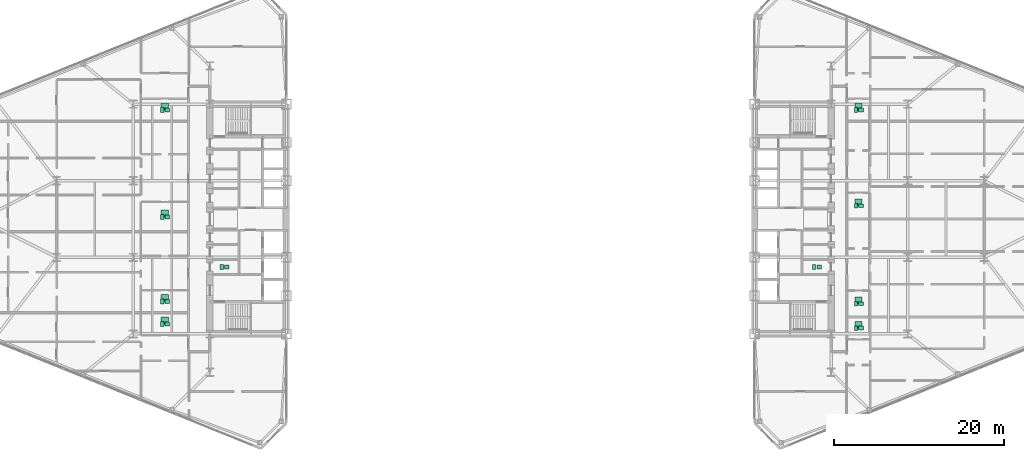
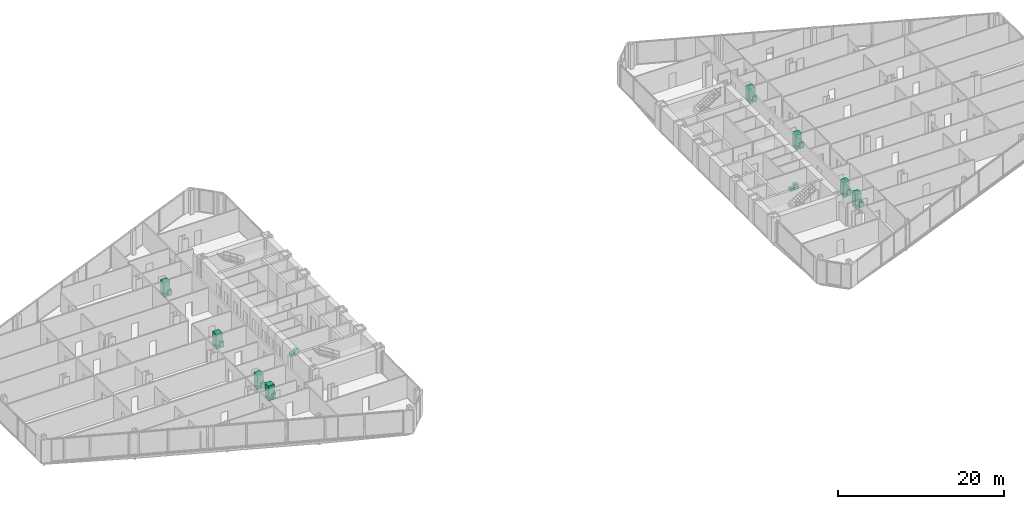
# One storey, part 25 of 25: 28 sanitary terminals.
"""IFC4 building model written with IfcOpenShell, lengths in metres."""

from ifc_helpers import new_model, si_unit, direction, frame, origin, origin_2d, place, context, subcontext, project, spatial, rectangle, extrude, source, transform, mapped, material, type_object, type_shapes, element, save


model = new_model("IFC4")

# Units and contexts
model_context = context("Model", 3, precision=1e-05, world=origin(), true_north=direction((0.0, 1.0)))
body_context = subcontext(model_context, "Body", "Model", "MODEL_VIEW")
ifc_project = project(units=[si_unit("LENGTHUNIT", "METRE"), si_unit("AREAUNIT", "SQUARE_METRE"), si_unit("VOLUMEUNIT", "CUBIC_METRE"), si_unit("PLANEANGLEUNIT", "RADIAN"), si_unit("MASSUNIT", "GRAM", prefix="KILO")], contexts=[model_context])

# Site, building, storey
site_placement = place(None, origin())
site = spatial("IfcSite", under=ifc_project, at=site_placement, CompositionType="ELEMENT")
building_placement = place(site_placement, origin())
building = spatial("IfcBuilding", under=site, at=building_placement, Name="Seokmaru Belvedere", CompositionType="ELEMENT")
storey_placement = place(building_placement, frame((0.0, 0.0, 36.89990234375)))
storey = spatial("IfcBuildingStorey", under=building, at=storey_placement, Name="L09", CompositionType="ELEMENT", Elevation=36.89990234375)

# Sanitary terminals
ifc_material_1 = material(Name="Vitreous China Sanitaryware")
sanitary_terminal_type_1 = type_object("IfcSanitaryTerminalType", Name="Wall-Hung Vitreous China WC Pan", PredefinedType="TOILETPAN", material=ifc_material_1)
shared_shape_1 = source(origin(), body_context, "Body", "SweptSolid", [
    extrude(rectangle(XDim=0.3798828125, YDim=0.56005859375, at=origin_2d()), origin(), (0.0, 0.0, 1.0), 0.419921875),
])
type_shapes(sanitary_terminal_type_1, [shared_shape_1])
for number, where, z_axis, x_axis, name in (
    (1, (-35.10009765625, -5.625, 0.000244140625), (0.0, 0.0, 1.0), (1.0, 0.0, 0.0), "L09 Vitreous China WC 0047"),
    (2, (34.5, -5.625, 0.000244140625), (0.0, 0.0, 1.0), (1.0, 0.0, 0.0), "L09 Vitreous China WC 0048"),
    (3, (-42.10009765625, -12.322021484375, 0.000244140625), (0.0, 0.0, 1.0), (1.0, 0.0, 0.0), "L09 Vitreous China WC 0049"),
    (4, (-42.10009765625, -9.677978515625, 0.000244140625), (0.0, 0.0, 1.0), (1.0, 0.0, 0.0), "L09 Vitreous China WC 0050"),
    (5, (-42.10009765625, 0.25390625, 0.000244140625), (0.0, 0.0, 1.0), (1.0, 0.0, 0.0), "L09 Vitreous China WC 0051"),
    (6, (-42.10009765625, 12.822021484375, 0.000244140625), (0.0, 0.0, 1.0), (1.0, 0.0, 0.0), "L09 Vitreous China WC 0052"),
    (7, (39.425048828125, -12.822021484375, 0.000244140625), (0.0, 0.0, 1.0), (1.0, 0.0, 0.0), "L09 Vitreous China WC 0053"),
    (8, (39.425048828125, -9.947998046875, 0.000244140625), (0.0, 0.0, 1.0), (1.0, 0.0, 0.0), "L09 Vitreous China WC 0054"),
    (9, (39.425048828125, 1.552001953125, 0.000244140625), (0.0, 0.0, 1.0), (1.0, 0.0, 0.0), "L09 Vitreous China WC 0055"),
    (10, (39.425048828125, 12.822021484375, 0.000244140625), (0.0, 0.0, 1.0), (1.0, 0.0, 0.0), "L09 Vitreous China WC 0056"),
):
    element("IfcSanitaryTerminal", number, at=place(storey_placement, frame(where, z_axis=z_axis, x_axis=x_axis)), inside=storey, type_object=sanitary_terminal_type_1, Name=name, PredefinedType="TOILETPAN", context=body_context, shape_type="MappedRepresentation", body=[
        mapped(shared_shape_1, transform((0.0, 0.0, 0.0), scale=1.0)),
    ])
sanitary_terminal_type_2 = type_object("IfcSanitaryTerminalType", Name="Countertop Ceramic Washhand Basin", PredefinedType="WASHHANDBASIN", material=ifc_material_1)
shared_shape_2 = source(origin(), body_context, "Body", "SweptSolid", [
    extrude(rectangle(XDim=0.550048828125, YDim=0.449951171875, at=origin_2d()), origin(), (0.0, 0.0, 1.0), 0.820068359375),
])
type_shapes(sanitary_terminal_type_2, [shared_shape_2])
for number, where, z_axis, x_axis, name in (
    (11, (-34.5, -5.625, 0.0), (0.0, 0.0, 1.0), (1.0, 0.0, 0.0), "L09 Ceramic Washhand Basin 0047"),
    (12, (35.10009765625, -5.625, 0.0), (0.0, 0.0, 1.0), (1.0, 0.0, 0.0), "L09 Ceramic Washhand Basin 0048"),
    (13, (-41.5, -12.322021484375, 0.0), (0.0, 0.0, 1.0), (1.0, 0.0, 0.0), "L09 Ceramic Washhand Basin 0049"),
    (14, (-41.5, -9.677978515625, 0.0), (0.0, 0.0, 1.0), (1.0, 0.0, 0.0), "L09 Ceramic Washhand Basin 0050"),
    (15, (-41.5, 0.25390625, 0.0), (0.0, 0.0, 1.0), (1.0, 0.0, 0.0), "L09 Ceramic Washhand Basin 0051"),
    (16, (-41.5, 12.822021484375, 0.0), (0.0, 0.0, 1.0), (1.0, 0.0, 0.0), "L09 Ceramic Washhand Basin 0052"),
    (17, (40.02490234375, -12.822021484375, 0.0), (0.0, 0.0, 1.0), (1.0, 0.0, 0.0), "L09 Ceramic Washhand Basin 0053"),
    (18, (40.02490234375, -9.947998046875, 0.0), (0.0, 0.0, 1.0), (1.0, 0.0, 0.0), "L09 Ceramic Washhand Basin 0054"),
    (19, (40.02490234375, 1.552001953125, 0.0), (0.0, 0.0, 1.0), (1.0, 0.0, 0.0), "L09 Ceramic Washhand Basin 0055"),
    (20, (40.02490234375, 12.822021484375, 0.0), (0.0, 0.0, 1.0), (1.0, 0.0, 0.0), "L09 Ceramic Washhand Basin 0056"),
):
    element("IfcSanitaryTerminal", number, at=place(storey_placement, frame(where, z_axis=z_axis, x_axis=x_axis)), inside=storey, type_object=sanitary_terminal_type_2, Name=name, PredefinedType="WASHHANDBASIN", context=body_context, shape_type="MappedRepresentation", body=[
        mapped(shared_shape_2, transform((0.0, 0.0, 0.0), scale=1.0)),
    ])
ifc_material_2 = material(Name="Stainless Steel 316", Category="steel")
sanitary_terminal_type_3 = type_object("IfcSanitaryTerminalType", Name="Walk-In Thermostatic Rain Shower Enclosure", PredefinedType="SHOWER", material=ifc_material_2)
shared_shape_3 = source(origin(), body_context, "Body", "SweptSolid", [
    extrude(rectangle(XDim=0.85009765625, YDim=0.85009765625, at=origin_2d()), origin(), (0.0, 0.0, 1.0), 2.050048828125),
])
type_shapes(sanitary_terminal_type_3, [shared_shape_3])
for number, where, z_axis, x_axis, name in (
    (21, (-41.800048828125, -11.94189453125, 0.0), (0.0, 0.0, 1.0), (1.0, 0.0, 0.0), "L09 Walk-In Shower 0049"),
    (22, (-41.800048828125, -9.297119140625, 0.0), (0.0, 0.0, 1.0), (1.0, 0.0, 0.0), "L09 Walk-In Shower 0050"),
    (23, (-41.800048828125, 0.634033203125, 0.0), (0.0, 0.0, 1.0), (1.0, 0.0, 0.0), "L09 Walk-In Shower 0051"),
    (24, (-41.800048828125, 13.202880859375, 0.0), (0.0, 0.0, 1.0), (1.0, 0.0, 0.0), "L09 Walk-In Shower 0052"),
    (25, (39.72509765625, -12.44189453125, 0.0), (0.0, 0.0, 1.0), (1.0, 0.0, 0.0), "L09 Walk-In Shower 0053"),
    (26, (39.72509765625, -9.568115234375, 0.0), (0.0, 0.0, 1.0), (1.0, 0.0, 0.0), "L09 Walk-In Shower 0054"),
    (27, (39.72509765625, 1.931884765625, 0.0), (0.0, 0.0, 1.0), (1.0, 0.0, 0.0), "L09 Walk-In Shower 0055"),
    (28, (39.72509765625, 13.202880859375, 0.0), (0.0, 0.0, 1.0), (1.0, 0.0, 0.0), "L09 Walk-In Shower 0056"),
):
    element("IfcSanitaryTerminal", number, at=place(storey_placement, frame(where, z_axis=z_axis, x_axis=x_axis)), inside=storey, type_object=sanitary_terminal_type_3, Name=name, PredefinedType="SHOWER", context=body_context, shape_type="MappedRepresentation", body=[
        mapped(shared_shape_3, transform((0.0, 0.0, 0.0), scale=1.0)),
    ])

save(model, "model.ifc")
